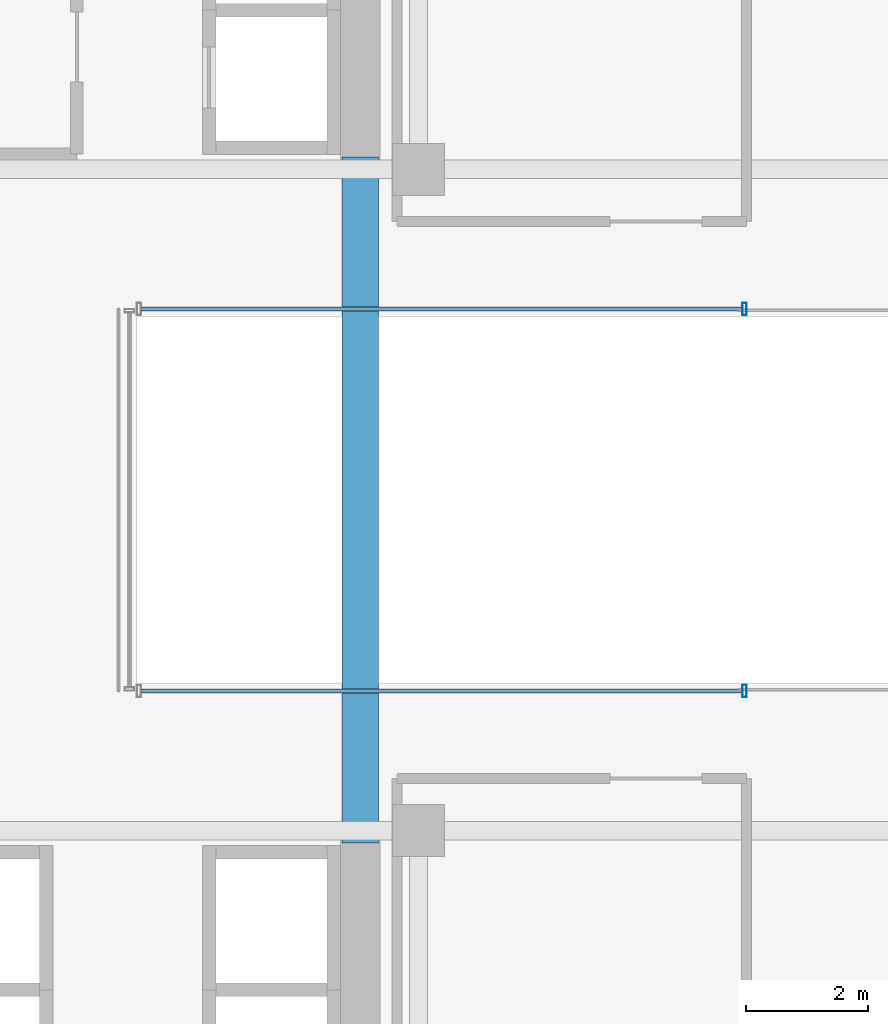
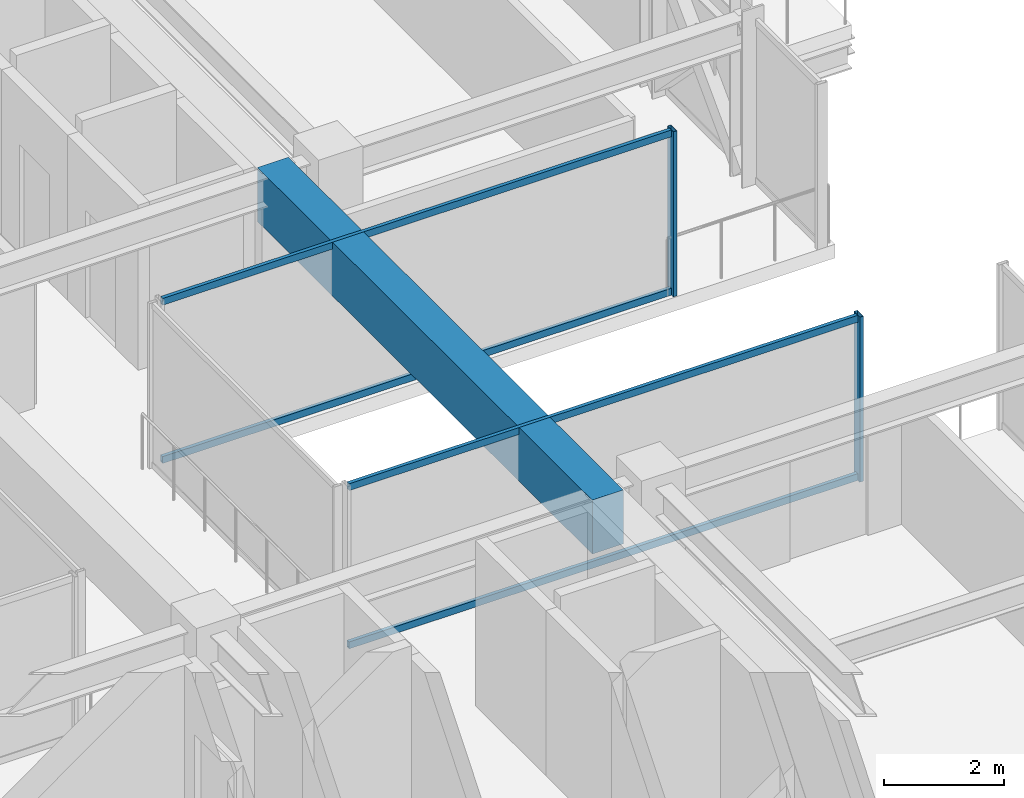
# One storey, part 16 of 35: 6 members, 1 beam, 2 elements without a shape of their own.
"""IFC4 building model written with IfcOpenShell, lengths in metres."""

from ifc_helpers import new_model, si_unit, direction, frame, origin, origin_2d, place, context, subcontext, project, spatial, rectangle, hollow_rectangle, extrude, source, transform, mapped, material, material_profile, profile_set, type_object, element, aggregate, save


model = new_model("IFC4")

# Units and contexts
model_context = context("Model", 3, precision=1e-05, world=origin(), true_north=direction((0.0, 1.0)))
body_context = subcontext(model_context, "Body", "Model", "MODEL_VIEW")
ifc_project = project(units=[si_unit("LENGTHUNIT", "METRE"), si_unit("AREAUNIT", "SQUARE_METRE"), si_unit("VOLUMEUNIT", "CUBIC_METRE"), si_unit("PLANEANGLEUNIT", "RADIAN"), si_unit("MASSUNIT", "GRAM", prefix="KILO")], contexts=[model_context])

# Site, building, storey
site_placement = place(None, origin())
site = spatial("IfcSite", under=ifc_project, at=site_placement, CompositionType="ELEMENT")
building_placement = place(site_placement, origin())
building = spatial("IfcBuilding", under=site, at=building_placement, Name="Nahalor Promenade Grand Hotel", CompositionType="ELEMENT")
storey_placement = place(building_placement, frame((0.0, 0.0, 43.35009765625)))
storey = spatial("IfcBuildingStorey", under=building, at=storey_placement, Name="L09", CompositionType="ELEMENT", Elevation=43.35009765625)

# Beam
ifc_material_1 = material(Name="Concrete B-60 (C50/60)", Category="concrete")
ifc_material_profile_1 = material_profile(ifc_material_1, rectangle(XDim=0.6, YDim=1.1, at=origin_2d()), Name="RC 600x1100")
ifc_profile_set_1 = profile_set([ifc_material_profile_1], Name="Concrete B-60 (C50/60)")
beam_type = type_object("IfcBeamType", Name="Beam-Lintel-RC1100", PredefinedType="LINTEL", material=ifc_profile_set_1)
shared_shape_1 = source(origin(), body_context, "Body", "SweptSolid", [
    extrude(rectangle(XDim=0.6, YDim=1.1, at=origin_2d()), origin(), (0.0, 0.0, 1.0), 11.2001953125),
])
beam_placement = place(storey_placement, frame((16.050048828125, -5.60009765625, 2.81982421875), z_axis=(0.0, 1.0, 0.0), x_axis=(-1.0, 0.0, 0.0)))
element("IfcBeam", 1, at=beam_placement, inside=storey, type_object=beam_type, Name="BM-L09-LINT-E", PredefinedType="LINTEL", context=body_context, shape_type="MappedRepresentation", body=[
    mapped(shared_shape_1, transform((0.0, 0.0, 0.0), scale=1.0)),
])

# Curtain wall, member
ifc_material_2 = material(Name="Anodised Bronze Aluminium EN AW-6063 T6", Category="aluminium")
curtain_wall_type = type_object("IfcCurtainWallType", Name="CW3 Elliptical-Void Collar Unitised Curtain Wall", PredefinedType="USERDEFINED", material=ifc_material_2)
curtain_wall_1_placement = place(storey_placement, origin())
curtain_wall_1 = element("IfcCurtainWall", 2, at=curtain_wall_1_placement, inside=storey, type_object=curtain_wall_type, Name="L09 Curtain Wall CW-L09-VOID-ES1", ObjectType="UNITISED_CURTAIN_WALL", PredefinedType="USERDEFINED")
ifc_material_profile_2 = material_profile(ifc_material_2, hollow_rectangle(XDim=0.07, YDim=0.2, WallThickness=0.005, at=origin_2d()), Name="CWM 70x200x5")
ifc_profile_set_2 = profile_set([ifc_material_profile_2], Name="Anodised Bronze Aluminium EN AW-6063 T6")
member_type_1 = type_object("IfcMemberType", Name="CWM3 Void Collar Mullion 70x200", PredefinedType="MULLION", material=ifc_profile_set_2)
shared_shape_2 = source(origin(), body_context, "Body", "SweptSolid", [
    extrude(hollow_rectangle(XDim=0.07, YDim=0.2, WallThickness=0.005, at=origin_2d()), origin(), (0.0, 0.0, 1.0), 3.369873046875),
])
member_1_placement = place(storey_placement, frame((22.324951171875, -3.118896484375, 0.0), z_axis=(0.0, 0.0, 1.0), x_axis=(1.0, 0.0, 0.0)))
member_1 = element("IfcMember", 3, at=member_1_placement, type_object=member_type_1, Name="CW-L09-VOID-ES1 Mullion 1", PredefinedType="MULLION", context=body_context, shape_type="MappedRepresentation", body=[
    mapped(shared_shape_2, transform((0.0, 0.0, 0.0), scale=1.0)),
])

curtain_wall_2_placement = place(storey_placement, origin())
curtain_wall_2 = element("IfcCurtainWall", 4, at=curtain_wall_2_placement, inside=storey, type_object=curtain_wall_type, Name="L09 Curtain Wall CW-L09-VOID-EN1", ObjectType="UNITISED_CURTAIN_WALL", PredefinedType="USERDEFINED")
member_2_placement = place(storey_placement, frame((22.324951171875, 3.118896484375, 0.0), z_axis=(0.0, 0.0, 1.0), x_axis=(1.0, 0.0, 0.0)))
member_2 = element("IfcMember", 5, at=member_2_placement, type_object=member_type_1, Name="CW-L09-VOID-EN1 Mullion 1", PredefinedType="MULLION", context=body_context, shape_type="MappedRepresentation", body=[
    mapped(shared_shape_2, transform((0.0, 0.0, 0.0), scale=1.0)),
])

# Member
ifc_material_profile_3 = material_profile(ifc_material_2, hollow_rectangle(XDim=0.07, YDim=0.14, WallThickness=0.004, at=origin_2d()), Name="CWT 70x140x4")
ifc_profile_set_3 = profile_set([ifc_material_profile_3], Name="Anodised Bronze Aluminium EN AW-6063 T6")
member_type_2 = type_object("IfcMemberType", Name="CWT3 Void Collar Transom 70x140", PredefinedType="USERDEFINED", material=ifc_profile_set_3)
shared_shape_3 = source(origin(), body_context, "Body", "SweptSolid", [
    extrude(hollow_rectangle(XDim=0.07, YDim=0.14, WallThickness=0.004, at=origin_2d()), origin(), (0.0, 0.0, 1.0), 9.820068359375),
])
member_3_placement = place(storey_placement, frame((12.469970703125, -3.118896484375, 0.06982421875), z_axis=(1.0, 0.0, 0.0), x_axis=(0.0, 1.0, 0.0)))
member_3 = element("IfcMember", 6, at=member_3_placement, type_object=member_type_2, Name="CW-L09-VOID-ES1 Transom 0-0", ObjectType="TRANSOM", PredefinedType="USERDEFINED", context=body_context, shape_type="MappedRepresentation", body=[
    mapped(shared_shape_3, transform((0.0, 0.0, 0.0), scale=1.0)),
])

member_4_placement = place(storey_placement, frame((12.469970703125, -3.118896484375, 3.2998046875), z_axis=(1.0, 0.0, 0.0), x_axis=(0.0, 1.0, 0.0)))
member_4 = element("IfcMember", 7, at=member_4_placement, type_object=member_type_2, Name="CW-L09-VOID-ES1 Transom 0-1", ObjectType="TRANSOM", PredefinedType="USERDEFINED", context=body_context, shape_type="MappedRepresentation", body=[
    mapped(shared_shape_3, transform((0.0, 0.0, 0.0), scale=1.0)),
])

aggregate(curtain_wall_1, [member_1, member_3, member_4])

member_5_placement = place(storey_placement, frame((12.469970703125, 3.118896484375, 0.06982421875), z_axis=(1.0, 0.0, 0.0), x_axis=(0.0, 1.0, 0.0)))
member_5 = element("IfcMember", 8, at=member_5_placement, type_object=member_type_2, Name="CW-L09-VOID-EN1 Transom 0-0", ObjectType="TRANSOM", PredefinedType="USERDEFINED", context=body_context, shape_type="MappedRepresentation", body=[
    mapped(shared_shape_3, transform((0.0, 0.0, 0.0), scale=1.0)),
])

member_6_placement = place(storey_placement, frame((12.469970703125, 3.118896484375, 3.2998046875), z_axis=(1.0, 0.0, 0.0), x_axis=(0.0, 1.0, 0.0)))
member_6 = element("IfcMember", 9, at=member_6_placement, type_object=member_type_2, Name="CW-L09-VOID-EN1 Transom 0-1", ObjectType="TRANSOM", PredefinedType="USERDEFINED", context=body_context, shape_type="MappedRepresentation", body=[
    mapped(shared_shape_3, transform((0.0, 0.0, 0.0), scale=1.0)),
])

aggregate(curtain_wall_2, [member_2, member_5, member_6])

save(model, "model.ifc")
